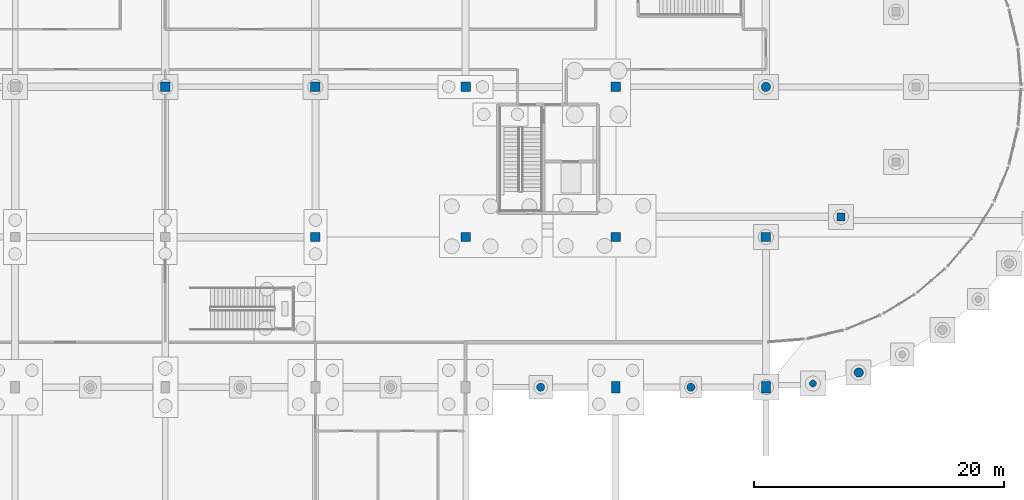
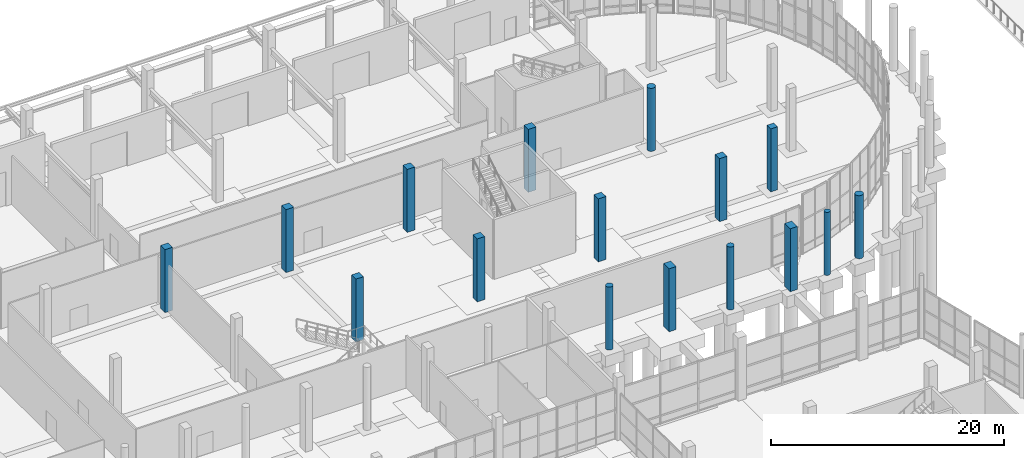
# One storey, part 39 of 117: 16 columns.
"""IFC4 building model written with IfcOpenShell, lengths in metres."""

from ifc_helpers import new_model, si_unit, direction, frame, origin, origin_2d, place, context, subcontext, project, spatial, rectangle, circle, extrude, material, material_profile, profile_set, type_object, element, save


model = new_model("IFC4")

# Units and contexts
model_context = context("Model", 3, precision=1e-05, world=origin(), true_north=direction((0.0, 1.0)))
body_context = subcontext(model_context, "Body", "Model", "MODEL_VIEW")
ifc_project = project(units=[si_unit("LENGTHUNIT", "METRE"), si_unit("AREAUNIT", "SQUARE_METRE"), si_unit("VOLUMEUNIT", "CUBIC_METRE"), si_unit("PLANEANGLEUNIT", "RADIAN"), si_unit("MASSUNIT", "GRAM", prefix="KILO")], contexts=[model_context])

# Site, building, storey
site_placement = place(None, origin())
site = spatial("IfcSite", under=ifc_project, at=site_placement, CompositionType="ELEMENT")
building_placement = place(site_placement, origin())
building = spatial("IfcBuilding", under=site, at=building_placement, Name="Kamomehara Wholesale Market", CompositionType="ELEMENT")
storey_placement = place(building_placement, origin())
storey = spatial("IfcBuildingStorey", under=building, at=storey_placement, Name="L00", CompositionType="ELEMENT", Elevation=0.0)

# Columns
ifc_material_1 = material(Name="Precast concrete Fc45 (C40/50)", Category="concrete")
ifc_material_profile_1 = material_profile(ifc_material_1, circle(Radius=0.27490234375, at=origin_2d()), Name="PC-ARC-D550")
ifc_profile_set_1 = profile_set([ifc_material_profile_1], Name="Precast concrete Fc45 (C40/50)")
column_type_1 = type_object("IfcColumnType", Name="COL-ARC550-EXT", PredefinedType="COLUMN", material=ifc_profile_set_1)
column_1_placement = place(storey_placement, frame((183.75390625, 108.294921875, 0.0), z_axis=(0.0, 0.0, 1.0), x_axis=(1.0, 0.0, 0.0)))
element("IfcColumn", 1, at=column_1_placement, inside=storey, type_object=column_type_1, Name="Column CA-03E L00", PredefinedType="COLUMN", context=body_context, shape_type="SweptSolid", body=[
    extrude(circle(Radius=0.27490234375, at=origin_2d()), origin(), (0.0, 0.0, 1.0), 6.60009765625),
])
ifc_material_2 = material(Name="Precast concrete Fc45 (C40/50)", Category="concrete")
ifc_material_profile_2 = material_profile(ifc_material_2, circle(Radius=0.324951171875, at=origin_2d()), Name="PC-ARC-D650")
ifc_profile_set_2 = profile_set([ifc_material_profile_2], Name="Precast concrete Fc45 (C40/50)")
column_type_2 = type_object("IfcColumnType", Name="COL-ARC650-EXT", PredefinedType="COLUMN", material=ifc_profile_set_2)
for number, where, z_axis, x_axis, name in (
    (2, (162.0, 108.0, 0.0), (0.0, 0.0, 1.0), (1.0, 0.0, 0.0), "Column CA-01E L00"),
    (3, (174.0, 108.0, 0.0), (0.0, 0.0, 1.0), (1.0, 0.0, 0.0), "Column CA-01E L00"),
):
    element("IfcColumn", number, at=place(storey_placement, frame(where, z_axis=z_axis, x_axis=x_axis)), inside=storey, type_object=column_type_2, Name=name, PredefinedType="COLUMN", context=body_context, shape_type="SweptSolid", body=[
        extrude(circle(Radius=0.324951171875, at=origin_2d()), origin(), (0.0, 0.0, 1.0), 6.60009765625),
    ])
ifc_material_3 = material(Name="Precast concrete Fc45 (C40/50)", Category="concrete")
ifc_material_profile_3 = material_profile(ifc_material_3, circle(Radius=0.375, at=origin_2d()), Name="PC-ARC-D750")
ifc_profile_set_3 = profile_set([ifc_material_profile_3], Name="Precast concrete Fc45 (C40/50)")
column_type_3 = type_object("IfcColumnType", Name="COL-ARC750", PredefinedType="COLUMN", material=ifc_profile_set_3)
for number, where, z_axis, x_axis, name in (
    (4, (180.0, 132.0, 0.0), (0.0, 0.0, 1.0), (1.0, 0.0, 0.0), "Column CA-02 L00"),
    (5, (187.416015625, 109.175048828125, 0.0), (0.0, 0.0, 1.0), (1.0, 0.0, 0.0), "Column CA-02 L00"),
):
    element("IfcColumn", number, at=place(storey_placement, frame(where, z_axis=z_axis, x_axis=x_axis)), inside=storey, type_object=column_type_3, Name=name, PredefinedType="COLUMN", context=body_context, shape_type="SweptSolid", body=[
        extrude(circle(Radius=0.375, at=origin_2d()), origin(), (0.0, 0.0, 1.0), 6.60009765625),
    ])
ifc_material_4 = material(Name="Precast concrete Fc45 (C40/50)", Category="concrete")
ifc_material_profile_4 = material_profile(ifc_material_4, rectangle(XDim=0.64990234375, YDim=0.64990234375, at=origin_2d()), Name="PC-COL-650x650")
ifc_profile_set_4 = profile_set([ifc_material_profile_4], Name="Precast concrete Fc45 (C40/50)")
column_type_4 = type_object("IfcColumnType", Name="COL-PC650", PredefinedType="COLUMN", material=ifc_profile_set_4)
column_2_placement = place(storey_placement, frame((186.0, 121.60791015625, 0.0), z_axis=(0.0, 0.0, 1.0), x_axis=(1.0, 0.0, 0.0)))
element("IfcColumn", 6, at=column_2_placement, inside=storey, type_object=column_type_4, Name="Column C-06 L00", PredefinedType="COLUMN", context=body_context, shape_type="SweptSolid", body=[
    extrude(rectangle(XDim=0.64990234375, YDim=0.64990234375, at=origin_2d()), origin(), (0.0, 0.0, 1.0), 6.60009765625),
])
ifc_material_5 = material(Name="Precast concrete Fc45 (C40/50)", Category="concrete")
ifc_material_profile_5 = material_profile(ifc_material_5, rectangle(XDim=0.75, YDim=0.75, at=origin_2d()), Name="PC-COL-750x750")
ifc_profile_set_5 = profile_set([ifc_material_profile_5], Name="Precast concrete Fc45 (C40/50)")
column_type_5 = type_object("IfcColumnType", Name="COL-PC750", PredefinedType="COLUMN", material=ifc_profile_set_5)
for number, where, z_axis, x_axis, name in (
    (7, (132.0, 132.0, 0.0), (0.0, 0.0, 1.0), (1.0, 0.0, 0.0), "Column C-04 L00"),
    (8, (144.0, 120.0, 0.0), (0.0, 0.0, 1.0), (1.0, 0.0, 0.0), "Column C-04 L00"),
    (9, (144.0, 132.0, 0.0), (0.0, 0.0, 1.0), (1.0, 0.0, 0.0), "Column C-04 L00"),
    (10, (180.0, 120.0, 0.0), (0.0, 0.0, 1.0), (1.0, 0.0, 0.0), "Column C-04 L00"),
):
    element("IfcColumn", number, at=place(storey_placement, frame(where, z_axis=z_axis, x_axis=x_axis)), inside=storey, type_object=column_type_5, Name=name, PredefinedType="COLUMN", context=body_context, shape_type="SweptSolid", body=[
        extrude(rectangle(XDim=0.75, YDim=0.75, at=origin_2d()), origin(), (0.0, 0.0, 1.0), 6.60009765625),
    ])
ifc_material_6 = material(Name="Precast concrete Fc45 (C40/50)", Category="concrete")
ifc_material_profile_6 = material_profile(ifc_material_6, rectangle(XDim=0.75, YDim=0.75, at=origin_2d()), Name="PC-COL-750x750")
ifc_profile_set_6 = profile_set([ifc_material_profile_6], Name="Precast concrete Fc45 (C40/50)")
column_type_6 = type_object("IfcColumnType", Name="COL-PC750-EXT", PredefinedType="COLUMN", material=ifc_profile_set_6)
for number, where, z_axis, x_axis, name in (
    (11, (156.0, 120.0, 0.0), (0.0, 0.0, 1.0), (1.0, 0.0, 0.0), "Column C-04E L00"),
    (12, (156.0, 132.0, 0.0), (0.0, 0.0, 1.0), (1.0, 0.0, 0.0), "Column C-04E L00"),
    (13, (168.0, 120.0, 0.0), (0.0, 0.0, 1.0), (1.0, 0.0, 0.0), "Column C-04E L00"),
    (14, (168.0, 132.0, 0.0), (0.0, 0.0, 1.0), (1.0, 0.0, 0.0), "Column C-04E L00"),
):
    element("IfcColumn", number, at=place(storey_placement, frame(where, z_axis=z_axis, x_axis=x_axis)), inside=storey, type_object=column_type_6, Name=name, PredefinedType="COLUMN", context=body_context, shape_type="SweptSolid", body=[
        extrude(rectangle(XDim=0.75, YDim=0.75, at=origin_2d()), origin(), (0.0, 0.0, 1.0), 6.60009765625),
    ])
ifc_material_7 = material(Name="Precast concrete Fc45 (C40/50)", Category="concrete")
ifc_material_profile_7 = material_profile(ifc_material_7, rectangle(XDim=0.699951171875, YDim=0.949951171875, at=origin_2d()), Name="PC-COL-700x950")
ifc_profile_set_7 = profile_set([ifc_material_profile_7], Name="Precast concrete Fc45 (C40/50)")
column_type_7 = type_object("IfcColumnType", Name="COL-PCR950-EXT", PredefinedType="COLUMN", material=ifc_profile_set_7)
for number, where, z_axis, x_axis, name in (
    (15, (168.0, 108.0, 0.0), (0.0, 0.0, 1.0), (1.0, 0.0, 0.0), "Column C-11E L00"),
    (16, (180.0, 108.0, 0.0), (0.0, 0.0, 1.0), (1.0, 0.0, 0.0), "Column C-11E L00"),
):
    element("IfcColumn", number, at=place(storey_placement, frame(where, z_axis=z_axis, x_axis=x_axis)), inside=storey, type_object=column_type_7, Name=name, PredefinedType="COLUMN", context=body_context, shape_type="SweptSolid", body=[
        extrude(rectangle(XDim=0.699951171875, YDim=0.949951171875, at=origin_2d()), origin(), (0.0, 0.0, 1.0), 6.60009765625),
    ])

save(model, "model.ifc")
